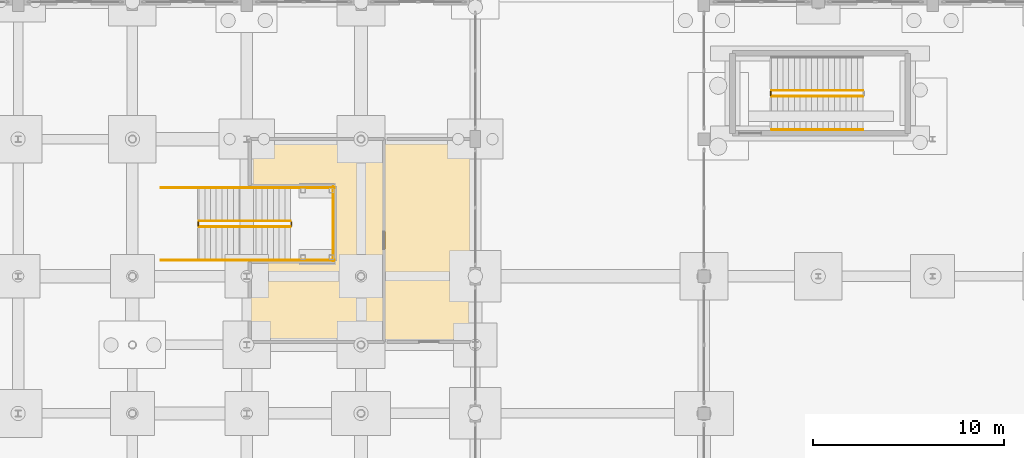
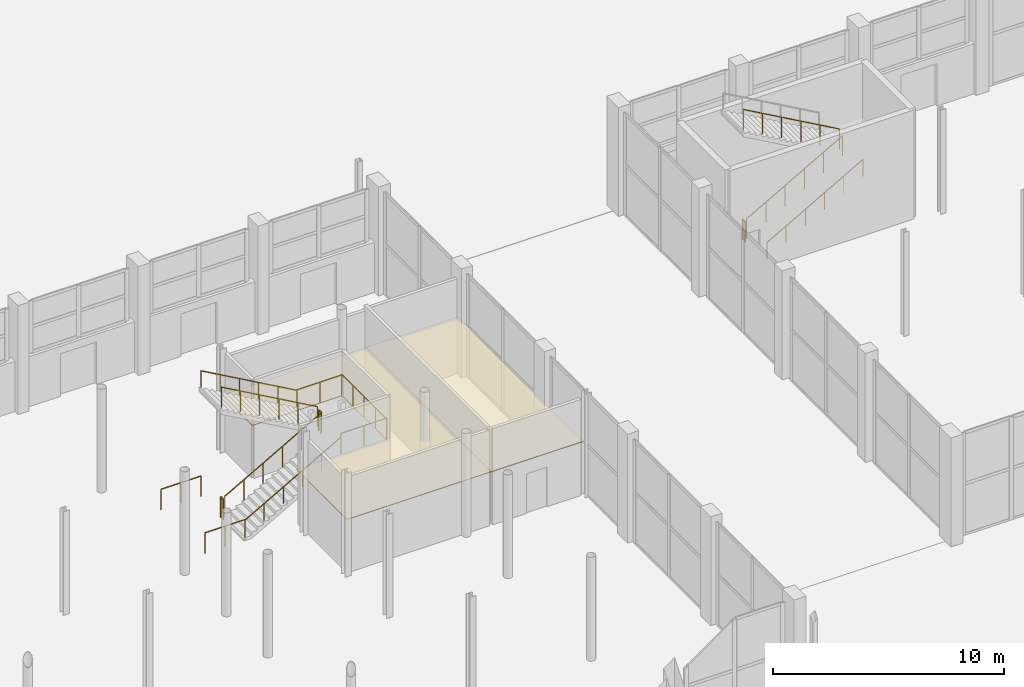
# One storey, part 97 of 103: 15 railings, 2 coverings.
"""IFC4 building model written with IfcOpenShell, lengths in metres."""

import ifcopenshell
import ifcopenshell.guid

model = None  # the IFC model being written
_history = None  # IfcOwnerHistory: only IFC2X3 demands one
_inside = {}  # id of a spatial element -> (the spatial element, [elements in it])
_under = {}  # id of a project, library or spatial element -> (it, [spatial elements below it])
_declared = {}  # id of a project -> (the project, [libraries it declares])
_typed = {}  # id of a type object -> (the type object, [elements of that type])
_made_of = {}  # id of a material, layer set ... -> (it, [elements and type objects made of it])


def new_model(schema):
    """Start an empty IFC model of exactly this schema.

    Asked for "IFC4X3", IfcOpenShell would pick the latest addendum, in which some entities
    have other attributes; the version numbers below select the first issue.
    IFC2X3 requires an IfcOwnerHistory on every rooted entity: one is made here for all.
    """
    global model, _history
    if schema == "IFC4X3":
        model = ifcopenshell.file(schema_version=(4, 3, 0, 0))
    else:
        model = ifcopenshell.file(schema=schema)
    _inside.clear()
    _under.clear()
    _declared.clear()
    _typed.clear()
    _made_of.clear()
    _history = None
    if model.schema == "IFC2X3":
        org = make("IfcOrganization", Name="unknown")
        user = make(
            "IfcPersonAndOrganization",
            ThePerson=make("IfcPerson", FamilyName="unknown"),
            TheOrganization=org,
        )
        app = make(
            "IfcApplication",
            ApplicationDeveloper=org,
            Version="unknown",
            ApplicationFullName="unknown",
            ApplicationIdentifier="unknown",
        )
        _history = make(
            "IfcOwnerHistory",
            OwningUser=user,
            OwningApplication=app,
            ChangeAction="ADDED",
            CreationDate=0,
        )
    return model


def make(cls, **values):
    """One entity of the class cls with the attributes given. An attribute that is None is left unset."""
    return model.create_entity(
        cls, **{name: value for name, value in values.items() if value is not None}
    )


def rooted(cls, **values):
    """An entity with a GlobalId (a new one), such as an element, a storey or a relation."""
    return make(cls, GlobalId=ifcopenshell.guid.new(), OwnerHistory=_history, **values)


def si_unit(unit_type, name, prefix=None):
    """IfcSIUnit, for example si_unit("LENGTHUNIT", "METRE", prefix="MILLI")."""
    return make("IfcSIUnit", UnitType=unit_type, Prefix=prefix, Name=name)


def assignment(units):
    """IfcUnitAssignment: the units of a project."""
    return None if units is None else make("IfcUnitAssignment", Units=units)


def point(xyz):
    """IfcCartesianPoint."""
    return None if xyz is None else make("IfcCartesianPoint", Coordinates=xyz)


def direction(xyz):
    """IfcDirection."""
    return None if xyz is None else make("IfcDirection", DirectionRatios=xyz)


def frame(location, z_axis=None, x_axis=None):
    """IfcAxis2Placement3D, a coordinate frame: its origin and axes. An axis left out is left unset."""
    return make(
        "IfcAxis2Placement3D",
        Location=point(location),
        Axis=direction(z_axis),
        RefDirection=direction(x_axis),
    )


def frame_2d(location, x_axis=None):
    """IfcAxis2Placement2D, a coordinate frame in the plane: its origin and x axis."""
    return make(
        "IfcAxis2Placement2D", Location=point(location), RefDirection=direction(x_axis)
    )


def origin():
    """The frame at (0, 0, 0) with its axes left unset."""
    return frame((0.0, 0.0, 0.0))


def origin_2d():
    """The frame at (0, 0) in the plane with its x axis left unset."""
    return frame_2d((0.0, 0.0))


def place(relative_to, where):
    """IfcLocalPlacement: puts the frame where relative to a parent placement (None: the world)."""
    return make(
        "IfcLocalPlacement", PlacementRelTo=relative_to, RelativePlacement=where
    )


def context(
    kind, dimensions, precision=None, world=None, true_north=None, identifier=None
):
    """IfcGeometricRepresentationContext, for example the 3D "Model" context."""
    return make(
        "IfcGeometricRepresentationContext",
        ContextIdentifier=identifier,
        ContextType=kind,
        CoordinateSpaceDimension=dimensions,
        Precision=precision,
        WorldCoordinateSystem=world,
        TrueNorth=true_north,
    )


def subcontext(parent, identifier, kind, view, scale=None):
    """IfcGeometricRepresentationSubContext, for example "Body" below "Model"."""
    return make(
        "IfcGeometricRepresentationSubContext",
        ContextIdentifier=identifier,
        ContextType=kind,
        ParentContext=parent,
        TargetScale=scale,
        TargetView=view,
    )


def project(units=None, contexts=None):
    """IfcProject with its units and contexts."""
    return rooted(
        "IfcProject",
        Name="project",
        RepresentationContexts=contexts,
        UnitsInContext=assignment(units),
    )


def spatial(cls, under=None, at=None, **own):
    """A site, building, storey or space (cls), placed at a placement, below another one or the project."""
    s = rooted(cls, ObjectPlacement=at, **own)
    if under is not None:
        _under.setdefault(under.id(), (under, []))[1].append(s)
    return s


def polyline(points):
    """IfcPolyline through the points."""
    return make("IfcPolyline", Points=[point(p) for p in points])


def profile(cls, at=None, kind="AREA", **sizes):
    """A parametric profile (cls). Its sizes go by their IFC names, for example OverallWidth=200.0."""
    return make(cls, ProfileType=kind, Position=at, **sizes)


def circle(**sizes):
    """IfcCircleProfileDef."""
    return profile("IfcCircleProfileDef", **sizes)


def outline(outer, holes=None, kind="AREA"):
    """IfcArbitraryClosedProfileDef: a profile drawn as a closed curve; with holes, ...WithVoids."""
    if holes is None:
        return make("IfcArbitraryClosedProfileDef", ProfileType=kind, OuterCurve=outer)
    return make(
        "IfcArbitraryProfileDefWithVoids",
        ProfileType=kind,
        OuterCurve=outer,
        InnerCurves=holes,
    )


def extrude(swept, where, along, depth):
    """IfcExtrudedAreaSolid: the profile swept, set in the frame where, extruded along a direction by depth."""
    return make(
        "IfcExtrudedAreaSolid",
        SweptArea=swept,
        Position=where,
        ExtrudedDirection=direction(along),
        Depth=depth,
    )


def shape(context_of_items, identifier, shape_type, items):
    """IfcShapeRepresentation: the items that make up one representation, for example the "Body"."""
    return make(
        "IfcShapeRepresentation",
        ContextOfItems=context_of_items,
        RepresentationIdentifier=identifier,
        RepresentationType=shape_type,
        Items=items,
    )


def material(Name=None, Category=None):
    """IfcMaterial."""
    return make("IfcMaterial", Name=Name, Category=Category)


def layer(
    of_material, thickness, ventilated=None, Name=None, Category=None, Priority=None
):
    """IfcMaterialLayer: one layer of a wall or slab, of a material (None: an air gap)."""
    return make(
        "IfcMaterialLayer",
        Material=of_material,
        LayerThickness=thickness,
        IsVentilated=ventilated,
        Name=Name,
        Category=Category,
        Priority=Priority,
    )


def layer_set(layers, Name=None):
    """IfcMaterialLayerSet."""
    return make("IfcMaterialLayerSet", MaterialLayers=layers, LayerSetName=Name)


def made_of(thing, what):
    """Note that an element or type object is made of a material, layer set ...; save() writes the relation."""
    if what is not None:
        _made_of.setdefault(what.id(), (what, []))[1].append(thing)
    return thing


def type_object(cls, material=None, **own):
    """A type object (cls), such as IfcWallType, which elements share."""
    return made_of(rooted(cls, **own), material)


def element(
    cls,
    number,
    at=None,
    inside=None,
    cuts=None,
    type_object=None,
    material=None,
    context=None,
    identifier="Body",
    shape_type=None,
    held_by="IfcProductDefinitionShape",
    body=None,
    shapes=None,
    **own,
):
    """One element of the class cls, such as IfcWall. Its Tag is "e" and its number.

    at: its placement. inside: the storey or other place that contains it. cuts: it is an
    opening in that element (IfcRelVoidsElement). A single representation is given by context,
    identifier, shape_type and body (its items); several are given by shapes. held_by: the class
    of the entity that holds the representations. save() writes the other relations.
    """
    e = rooted(cls, Tag="e%d" % number, ObjectPlacement=at, **own)
    if body is not None:
        shapes = [shape(context, identifier, shape_type, body)]
    if shapes is not None:
        e.Representation = make(held_by, Representations=shapes)
    if inside is not None:
        _inside.setdefault(inside.id(), (inside, []))[1].append(e)
    if cuts is not None:
        rooted(
            "IfcRelVoidsElement", RelatingBuildingElement=cuts, RelatedOpeningElement=e
        )
    if type_object is not None:
        _typed.setdefault(type_object.id(), (type_object, []))[1].append(e)
    return made_of(e, material)


def aggregate(whole, parts):
    """IfcRelAggregates: a whole, such as a stair, and the parts it consists of."""
    return rooted("IfcRelAggregates", RelatingObject=whole, RelatedObjects=parts)


def save(model, path):
    """Write the relations noted so far, then the file.

    IfcRelAggregates (storeys below a building ...), IfcRelContainedInSpatialStructure (elements
    in a storey), IfcRelDefinesByType, IfcRelAssociatesMaterial and IfcRelDeclares: one each for
    every whole, place, type object, material and project.
    """
    for whole, parts in _under.values():
        aggregate(whole, parts)
    for where, things in _inside.values():
        rooted(
            "IfcRelContainedInSpatialStructure",
            RelatedElements=things,
            RelatingStructure=where,
        )
    for kind, things in _typed.values():
        rooted("IfcRelDefinesByType", RelatedObjects=things, RelatingType=kind)
    for what, things in _made_of.values():
        rooted("IfcRelAssociatesMaterial", RelatedObjects=things, RelatingMaterial=what)
    for by, libraries in _declared.values():
        rooted("IfcRelDeclares", RelatingContext=by, RelatedDefinitions=libraries)
    model.write(path)


model = new_model("IFC4")

# Units and contexts
model_context = context("Model", 3, precision=1e-05, world=origin(), true_north=direction((0.0, 1.0)))
body_context = subcontext(model_context, "Body", "Model", "MODEL_VIEW")
ifc_project = project(units=[si_unit("LENGTHUNIT", "METRE"), si_unit("AREAUNIT", "SQUARE_METRE"), si_unit("VOLUMEUNIT", "CUBIC_METRE"), si_unit("PLANEANGLEUNIT", "RADIAN"), si_unit("MASSUNIT", "GRAM", prefix="KILO")], contexts=[model_context])

# Site, building, storey
site_placement = place(None, origin())
site = spatial("IfcSite", under=ifc_project, at=site_placement, CompositionType="ELEMENT")
building_placement = place(site_placement, origin())
building = spatial("IfcBuilding", under=site, at=building_placement, Name="Dunvalen Ferry Terminal", CompositionType="ELEMENT")
storey_placement = place(building_placement, origin())
storey = spatial("IfcBuildingStorey", under=building, at=storey_placement, Name="L00", CompositionType="ELEMENT", Elevation=0.0)

# Coverings
ifc_material_1 = material(Name="Perforated marine aluminium acoustic baffle ceiling", Category="aluminium")
ifc_layer_1 = layer(ifc_material_1, 0.0400390625, Name="Perforated marine aluminium acoustic baffle ceiling")
ifc_layer_set_1 = layer_set([ifc_layer_1], Name="Perforated marine aluminium acoustic baffle ceiling")
covering_type_1 = type_object("IfcCoveringType", Name="INT-COV-CLG01", PredefinedType="CEILING", material=ifc_layer_set_1)
covering_1_placement = place(storey_placement, frame((0.0, 0.0, 2.81005859375)))
element("IfcCovering", 1, at=covering_1_placement, inside=storey, type_object=covering_type_1, Name="L00 Concourse Public Toilets Acoustic Suspended Ceiling", PredefinedType="CEILING", context=body_context, shape_type="SweptSolid", body=[
    extrude(outline(polyline([(88.56982421875, 72.843505859375), (84.070068359375, 72.82958984375), (84.070068359375, 68.469970703125), (91.2900390625, 68.469970703125), (91.2900390625, 79.2900390625), (84.070068359375, 79.2900390625), (84.070068359375, 76.669921875), (88.556640625, 76.669921875), (88.56982421875, 72.843505859375)])), origin(), (0.0, 0.0, 1.0), 0.0400390625),
])
ifc_material_2 = material(Name="Moisture-resistant mineral-fibre acoustic ceiling", Category="gypsum")
ifc_layer_2 = layer(ifc_material_2, 0.050048828125, Name="Moisture-resistant mineral-fibre acoustic ceiling")
ifc_layer_set_2 = layer_set([ifc_layer_2], Name="Moisture-resistant mineral-fibre acoustic ceiling")
covering_type_2 = type_object("IfcCoveringType", Name="INT-COV-CLG02", PredefinedType="CEILING", material=ifc_layer_set_2)
covering_2_placement = place(storey_placement, frame((0.0, 0.0, 2.800048828125)))
element("IfcCovering", 2, at=covering_2_placement, inside=storey, type_object=covering_type_2, Name="L00 Changing Places Toilet and Accessible WC Acoustic Suspended Ceiling", PredefinedType="CEILING", context=body_context, shape_type="SweptSolid", body=[
    extrude(outline(polyline([(91.27001953125, 79.2900390625), (91.27001953125, 68.469970703125), (95.8701171875, 68.469970703125), (95.8701171875, 79.2900390625), (91.27001953125, 79.2900390625)])), origin(), (0.0, 0.0, 1.0), 0.050048828125),
])

# Railings
ifc_material_3 = material(Name="Painted galvanised steel S275", Category="steel")
railing_type_1 = type_object("IfcRailingType", Name="INT-RL-STGRD", PredefinedType="GUARDRAIL", material=ifc_material_3)
railing_1_placement = place(storey_placement, frame((81.5, 74.60009765625, 0.16943359375)))
element("IfcRailing", 3, at=railing_1_placement, inside=storey, type_object=railing_type_1, Name="L00 ST8 stair guard 1", PredefinedType="GUARDRAIL", context=body_context, shape_type="SweptSolid", body=[
    extrude(circle(Radius=0.02392578125, at=origin_2d()), frame((0.0, 0.0, 1.076171875), z_axis=(0.870766506294, 0.0, 0.491696747514), x_axis=(0.0, 1.0, 0.0)), (0.0, 0.0, 1.0), 5.512451171875),
    extrude(circle(Radius=0.02099609375, at=origin_2d()), origin(), (0.0, 0.0, 1.0), 1.052001953125),
    extrude(circle(Radius=0.02099609375, at=origin_2d()), frame((0.9599609375, 0.0, 0.5419921875)), (0.0, 0.0, 1.0), 1.052001953125),
    extrude(circle(Radius=0.02099609375, at=origin_2d()), frame((1.919921875, 0.0, 1.084228515625)), (0.0, 0.0, 1.0), 1.052001953125),
    extrude(circle(Radius=0.02099609375, at=origin_2d()), frame((2.880126953125, 0.0, 1.626220703125)), (0.0, 0.0, 1.0), 1.052001953125),
    extrude(circle(Radius=0.02099609375, at=origin_2d()), frame((3.840087890625, 0.0, 2.16845703125)), (0.0, 0.0, 1.0), 1.052001953125),
    extrude(circle(Radius=0.02099609375, at=origin_2d()), frame((4.800048828125, 0.0, 2.71044921875)), (0.0, 0.0, 1.0), 1.052001953125),
])
railing_2_placement = place(storey_placement, frame((86.35009765625, 74.64990234375, 2.8798828125)))
element("IfcRailing", 4, at=railing_2_placement, inside=storey, type_object=railing_type_1, Name="L00 ST8 stair guard 2", PredefinedType="GUARDRAIL", context=body_context, shape_type="SweptSolid", body=[
    extrude(circle(Radius=0.02392578125, at=origin_2d()), frame((0.0, 0.0, 1.076171875), z_axis=(0.0, 1.0, 0.0), x_axis=(-1.0, 0.0, 0.0)), (0.0, 0.0, 1.0), 0.2001953125),
    extrude(circle(Radius=0.02099609375, at=origin_2d()), origin(), (0.0, 0.0, 1.0), 1.052001953125),
    extrude(circle(Radius=0.02099609375, at=origin_2d()), frame((0.0, 0.2001953125, 0.0)), (0.0, 0.0, 1.0), 1.052001953125),
])
for number, where, name in (
    (5, (86.300048828125, 72.85009765625, 2.8798828125), "L00 ST8 stair guard 3"),
    (6, (86.300048828125, 76.64990234375, 2.8798828125), "L00 ST8 stair guard 4"),
):
    element("IfcRailing", number, at=place(storey_placement, frame(where)), inside=storey, type_object=railing_type_1, Name=name, PredefinedType="GUARDRAIL", context=body_context, shape_type="SweptSolid", body=[
        extrude(circle(Radius=0.02392578125, at=origin_2d()), frame((0.0, 0.0, 1.076171875), z_axis=(1.0, 0.0, 0.0), x_axis=(0.0, 1.0, 0.0)), (0.0, 0.0, 1.0), 2.300048828125),
        extrude(circle(Radius=0.02099609375, at=origin_2d()), origin(), (0.0, 0.0, 1.0), 1.052001953125),
        extrude(circle(Radius=0.02099609375, at=origin_2d()), frame((1.14990234375, 0.0, 0.0)), (0.0, 0.0, 1.0), 1.052001953125),
        extrude(circle(Radius=0.02099609375, at=origin_2d()), frame((2.300048828125, 0.0, 0.0)), (0.0, 0.0, 1.0), 1.052001953125),
    ])
railing_3_placement = place(storey_placement, frame((88.550048828125, 72.800048828125, 2.8798828125)))
element("IfcRailing", 7, at=railing_3_placement, inside=storey, type_object=railing_type_1, Name="L00 ST8 stair guard 5", PredefinedType="GUARDRAIL", context=body_context, shape_type="SweptSolid", body=[
    extrude(circle(Radius=0.02392578125, at=origin_2d()), frame((0.0, 0.0, 1.076171875), z_axis=(0.0, 1.0, 0.0), x_axis=(-1.0, 0.0, 0.0)), (0.0, 0.0, 1.0), 3.89990234375),
    extrude(circle(Radius=0.02099609375, at=origin_2d()), origin(), (0.0, 0.0, 1.0), 1.052001953125),
    extrude(circle(Radius=0.02099609375, at=origin_2d()), frame((0.0, 0.97509765625, 0.0)), (0.0, 0.0, 1.0), 1.052001953125),
    extrude(circle(Radius=0.02099609375, at=origin_2d()), frame((0.0, 1.949951171875, 0.0)), (0.0, 0.0, 1.0), 1.052001953125),
    extrude(circle(Radius=0.02099609375, at=origin_2d()), frame((0.0, 2.9248046875, 0.0)), (0.0, 0.0, 1.0), 1.052001953125),
    extrude(circle(Radius=0.02099609375, at=origin_2d()), frame((0.0, 3.89990234375, 0.0)), (0.0, 0.0, 1.0), 1.052001953125),
])
railing_4_placement = place(storey_placement, frame((86.300048828125, 74.89990234375, 3.04931640625)))
element("IfcRailing", 8, at=railing_4_placement, inside=storey, type_object=railing_type_1, Name="L00 ST8 stair guard 6", PredefinedType="GUARDRAIL", context=body_context, shape_type="SweptSolid", body=[
    extrude(circle(Radius=0.02392578125, at=origin_2d()), frame((0.0, 0.0, 1.076171875), z_axis=(-0.870747543578, 0.0, 0.491730327875), x_axis=(0.0, -1.0, 0.0)), (0.0, 0.0, 1.0), 5.512451171875),
    extrude(circle(Radius=0.02099609375, at=origin_2d()), origin(), (0.0, 0.0, 1.0), 1.052001953125),
    extrude(circle(Radius=0.02099609375, at=origin_2d()), frame((-0.9599609375, 0.0, 0.542236328125)), (0.0, 0.0, 1.0), 1.052001953125),
    extrude(circle(Radius=0.02099609375, at=origin_2d()), frame((-1.919921875, 0.0, 1.084228515625)), (0.0, 0.0, 1.0), 1.052001953125),
    extrude(circle(Radius=0.02099609375, at=origin_2d()), frame((-2.880126953125, 0.0, 1.62646484375)), (0.0, 0.0, 1.0), 1.052001953125),
    extrude(circle(Radius=0.02099609375, at=origin_2d()), frame((-3.840087890625, 0.0, 2.16845703125)), (0.0, 0.0, 1.0), 1.052001953125),
    extrude(circle(Radius=0.02099609375, at=origin_2d()), frame((-4.800048828125, 0.0, 2.710693359375)), (0.0, 0.0, 1.0), 1.052001953125),
])
railing_5_placement = place(storey_placement, frame((81.449951171875, 74.64990234375, 0.0)))
element("IfcRailing", 9, at=railing_5_placement, inside=storey, type_object=railing_type_1, Name="L00 ST8 stair guard 7", PredefinedType="GUARDRAIL", context=body_context, shape_type="SweptSolid", body=[
    extrude(circle(Radius=0.02392578125, at=origin_2d()), frame((0.0, 0.0, 1.076171875), z_axis=(0.0, 1.0, 0.0), x_axis=(-1.0, 0.0, 0.0)), (0.0, 0.0, 1.0), 0.2001953125),
    extrude(circle(Radius=0.02099609375, at=origin_2d()), origin(), (0.0, 0.0, 1.0), 1.052001953125),
    extrude(circle(Radius=0.02099609375, at=origin_2d()), frame((0.0, 0.2001953125, 0.0)), (0.0, 0.0, 1.0), 1.052001953125),
])
for number, where, name in (
    (10, (79.5, 72.85009765625, 0.0), "L00 ST8 stair guard 8"),
    (11, (79.5, 76.64990234375, 0.0), "L00 ST8 stair guard 9"),
):
    element("IfcRailing", number, at=place(storey_placement, frame(where)), inside=storey, type_object=railing_type_1, Name=name, PredefinedType="GUARDRAIL", context=body_context, shape_type="SweptSolid", body=[
        extrude(circle(Radius=0.02392578125, at=origin_2d()), frame((0.0, 0.0, 1.076171875), z_axis=(1.0, 0.0, 0.0), x_axis=(0.0, 1.0, 0.0)), (0.0, 0.0, 1.0), 2.0),
        extrude(circle(Radius=0.02099609375, at=origin_2d()), origin(), (0.0, 0.0, 1.0), 1.052001953125),
        extrude(circle(Radius=0.02099609375, at=origin_2d()), frame((1.0, 0.0, 0.0)), (0.0, 0.0, 1.0), 1.052001953125),
        extrude(circle(Radius=0.02099609375, at=origin_2d()), frame((2.0, 0.0, 0.0)), (0.0, 0.0, 1.0), 1.052001953125),
    ])
railing_6_placement = place(storey_placement, frame((111.550048828125, 81.449951171875, 0.16943359375)))
element("IfcRailing", 12, at=railing_6_placement, inside=storey, type_object=railing_type_1, Name="L00 ST10 stair guard 1", PredefinedType="GUARDRAIL", context=body_context, shape_type="SweptSolid", body=[
    extrude(circle(Radius=0.02392578125, at=origin_2d()), frame((0.0, 0.0, 1.076171875), z_axis=(0.870766506294, 0.0, 0.491696747514), x_axis=(0.0, 1.0, 0.0)), (0.0, 0.0, 1.0), 5.512451171875),
    extrude(circle(Radius=0.02099609375, at=origin_2d()), origin(), (0.0, 0.0, 1.0), 1.052001953125),
    extrude(circle(Radius=0.02099609375, at=origin_2d()), frame((0.9599609375, 0.0, 0.5419921875)), (0.0, 0.0, 1.0), 1.052001953125),
    extrude(circle(Radius=0.02099609375, at=origin_2d()), frame((1.919921875, 0.0, 1.084228515625)), (0.0, 0.0, 1.0), 1.052001953125),
    extrude(circle(Radius=0.02099609375, at=origin_2d()), frame((2.880126953125, 0.0, 1.626220703125)), (0.0, 0.0, 1.0), 1.052001953125),
    extrude(circle(Radius=0.02099609375, at=origin_2d()), frame((3.840087890625, 0.0, 2.16845703125)), (0.0, 0.0, 1.0), 1.052001953125),
    extrude(circle(Radius=0.02099609375, at=origin_2d()), frame((4.800048828125, 0.0, 2.71044921875)), (0.0, 0.0, 1.0), 1.052001953125),
])
railing_7_placement = place(storey_placement, frame((116.35009765625, 81.75, 3.04931640625)))
element("IfcRailing", 13, at=railing_7_placement, inside=storey, type_object=railing_type_1, Name="L00 ST10 stair guard 3", PredefinedType="GUARDRAIL", context=body_context, shape_type="SweptSolid", body=[
    extrude(circle(Radius=0.02392578125, at=origin_2d()), frame((0.0, 0.0, 1.076171875), z_axis=(-0.870747543578, 0.0, 0.491730327875), x_axis=(0.0, -1.0, 0.0)), (0.0, 0.0, 1.0), 5.512451171875),
    extrude(circle(Radius=0.02099609375, at=origin_2d()), origin(), (0.0, 0.0, 1.0), 1.052001953125),
    extrude(circle(Radius=0.02099609375, at=origin_2d()), frame((-0.9599609375, 0.0, 0.542236328125)), (0.0, 0.0, 1.0), 1.052001953125),
    extrude(circle(Radius=0.02099609375, at=origin_2d()), frame((-1.919921875, 0.0, 1.084228515625)), (0.0, 0.0, 1.0), 1.052001953125),
    extrude(circle(Radius=0.02099609375, at=origin_2d()), frame((-2.880126953125, 0.0, 1.62646484375)), (0.0, 0.0, 1.0), 1.052001953125),
    extrude(circle(Radius=0.02099609375, at=origin_2d()), frame((-3.840087890625, 0.0, 2.16845703125)), (0.0, 0.0, 1.0), 1.052001953125),
    extrude(circle(Radius=0.02099609375, at=origin_2d()), frame((-4.800048828125, 0.0, 2.710693359375)), (0.0, 0.0, 1.0), 1.052001953125),
])
railing_8_placement = place(storey_placement, frame((111.5, 81.5, 0.0)))
element("IfcRailing", 14, at=railing_8_placement, inside=storey, type_object=railing_type_1, Name="L00 ST10 stair guard 4", PredefinedType="GUARDRAIL", context=body_context, shape_type="SweptSolid", body=[
    extrude(circle(Radius=0.02392578125, at=origin_2d()), frame((0.0, 0.0, 1.076171875), z_axis=(0.0, 1.0, 0.0), x_axis=(-1.0, 0.0, 0.0)), (0.0, 0.0, 1.0), 0.199951171875),
    extrude(circle(Radius=0.02099609375, at=origin_2d()), origin(), (0.0, 0.0, 1.0), 1.052001953125),
    extrude(circle(Radius=0.02099609375, at=origin_2d()), frame((0.0, 0.199951171875, 0.0)), (0.0, 0.0, 1.0), 1.052001953125),
])
ifc_material_4 = material(Name="Brushed 316 stainless steel", Category="steel")
railing_type_2 = type_object("IfcRailingType", Name="INT-RL-STHND", PredefinedType="HANDRAIL", material=ifc_material_4)
railing_9_placement = place(storey_placement, frame((81.5, 72.85009765625, 0.16943359375)))
element("IfcRailing", 15, at=railing_9_placement, inside=storey, type_object=railing_type_2, Name="L00 ST8 stair handrail 1", PredefinedType="HANDRAIL", context=body_context, shape_type="SweptSolid", body=[
    extrude(circle(Radius=0.02392578125, at=origin_2d()), frame((0.0, 0.0, 0.8759765625), z_axis=(0.870766506294, 0.0, 0.491696747514), x_axis=(0.0, 1.0, 0.0)), (0.0, 0.0, 1.0), 5.512451171875),
    extrude(circle(Radius=0.02099609375, at=origin_2d()), origin(), (0.0, 0.0, 1.0), 0.851806640625),
    extrude(circle(Radius=0.02099609375, at=origin_2d()), frame((0.9599609375, 0.0, 0.5419921875)), (0.0, 0.0, 1.0), 0.851806640625),
    extrude(circle(Radius=0.02099609375, at=origin_2d()), frame((1.919921875, 0.0, 1.084228515625)), (0.0, 0.0, 1.0), 0.851806640625),
    extrude(circle(Radius=0.02099609375, at=origin_2d()), frame((2.880126953125, 0.0, 1.626220703125)), (0.0, 0.0, 1.0), 0.851806640625),
    extrude(circle(Radius=0.02099609375, at=origin_2d()), frame((3.840087890625, 0.0, 2.16845703125)), (0.0, 0.0, 1.0), 0.851806640625),
    extrude(circle(Radius=0.02099609375, at=origin_2d()), frame((4.800048828125, 0.0, 2.71044921875)), (0.0, 0.0, 1.0), 0.851806640625),
])
railing_10_placement = place(storey_placement, frame((86.300048828125, 76.64990234375, 3.04931640625)))
element("IfcRailing", 16, at=railing_10_placement, inside=storey, type_object=railing_type_2, Name="L00 ST8 stair handrail 2", PredefinedType="HANDRAIL", context=body_context, shape_type="SweptSolid", body=[
    extrude(circle(Radius=0.02392578125, at=origin_2d()), frame((0.0, 0.0, 0.8759765625), z_axis=(-0.870747543578, 0.0, 0.491730327875), x_axis=(0.0, -1.0, 0.0)), (0.0, 0.0, 1.0), 5.512451171875),
    extrude(circle(Radius=0.02099609375, at=origin_2d()), origin(), (0.0, 0.0, 1.0), 0.851806640625),
    extrude(circle(Radius=0.02099609375, at=origin_2d()), frame((-0.9599609375, 0.0, 0.542236328125)), (0.0, 0.0, 1.0), 0.851806640625),
    extrude(circle(Radius=0.02099609375, at=origin_2d()), frame((-1.919921875, 0.0, 1.084228515625)), (0.0, 0.0, 1.0), 0.851806640625),
    extrude(circle(Radius=0.02099609375, at=origin_2d()), frame((-2.880126953125, 0.0, 1.62646484375)), (0.0, 0.0, 1.0), 0.851806640625),
    extrude(circle(Radius=0.02099609375, at=origin_2d()), frame((-3.840087890625, 0.0, 2.16845703125)), (0.0, 0.0, 1.0), 0.851806640625),
    extrude(circle(Radius=0.02099609375, at=origin_2d()), frame((-4.800048828125, 0.0, 2.710693359375)), (0.0, 0.0, 1.0), 0.851806640625),
])
railing_11_placement = place(storey_placement, frame((111.550048828125, 79.699951171875, 0.16943359375)))
element("IfcRailing", 17, at=railing_11_placement, inside=storey, type_object=railing_type_2, Name="L00 ST10 stair handrail 1", PredefinedType="HANDRAIL", context=body_context, shape_type="SweptSolid", body=[
    extrude(circle(Radius=0.02392578125, at=origin_2d()), frame((0.0, 0.0, 0.8759765625), z_axis=(0.870766506294, 0.0, 0.491696747514), x_axis=(0.0, 1.0, 0.0)), (0.0, 0.0, 1.0), 5.512451171875),
    extrude(circle(Radius=0.02099609375, at=origin_2d()), origin(), (0.0, 0.0, 1.0), 0.851806640625),
    extrude(circle(Radius=0.02099609375, at=origin_2d()), frame((0.9599609375, 0.0, 0.5419921875)), (0.0, 0.0, 1.0), 0.851806640625),
    extrude(circle(Radius=0.02099609375, at=origin_2d()), frame((1.919921875, 0.0, 1.084228515625)), (0.0, 0.0, 1.0), 0.851806640625),
    extrude(circle(Radius=0.02099609375, at=origin_2d()), frame((2.880126953125, 0.0, 1.626220703125)), (0.0, 0.0, 1.0), 0.851806640625),
    extrude(circle(Radius=0.02099609375, at=origin_2d()), frame((3.840087890625, 0.0, 2.16845703125)), (0.0, 0.0, 1.0), 0.851806640625),
    extrude(circle(Radius=0.02099609375, at=origin_2d()), frame((4.800048828125, 0.0, 2.71044921875)), (0.0, 0.0, 1.0), 0.851806640625),
])

save(model, "model.ifc")
